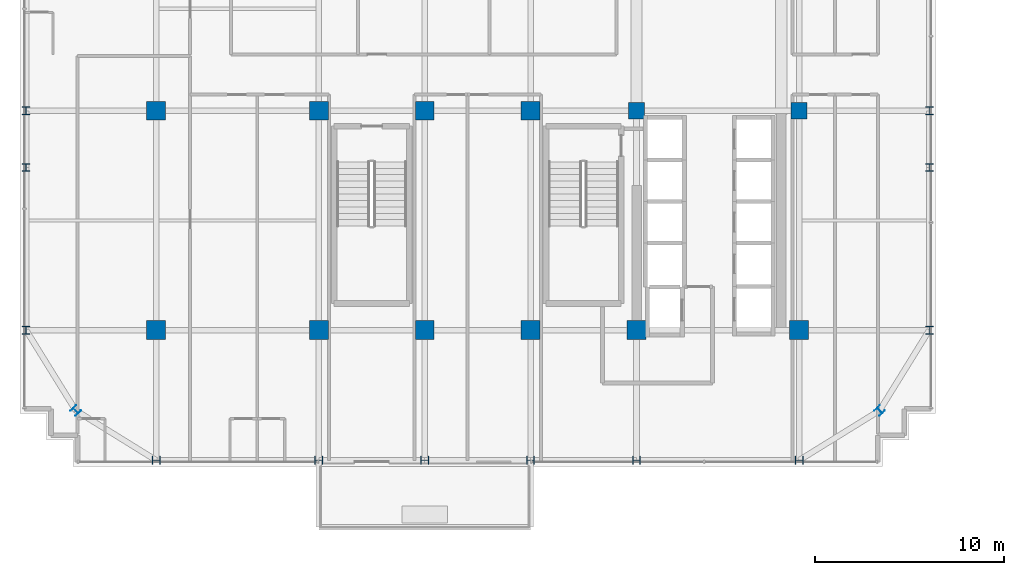
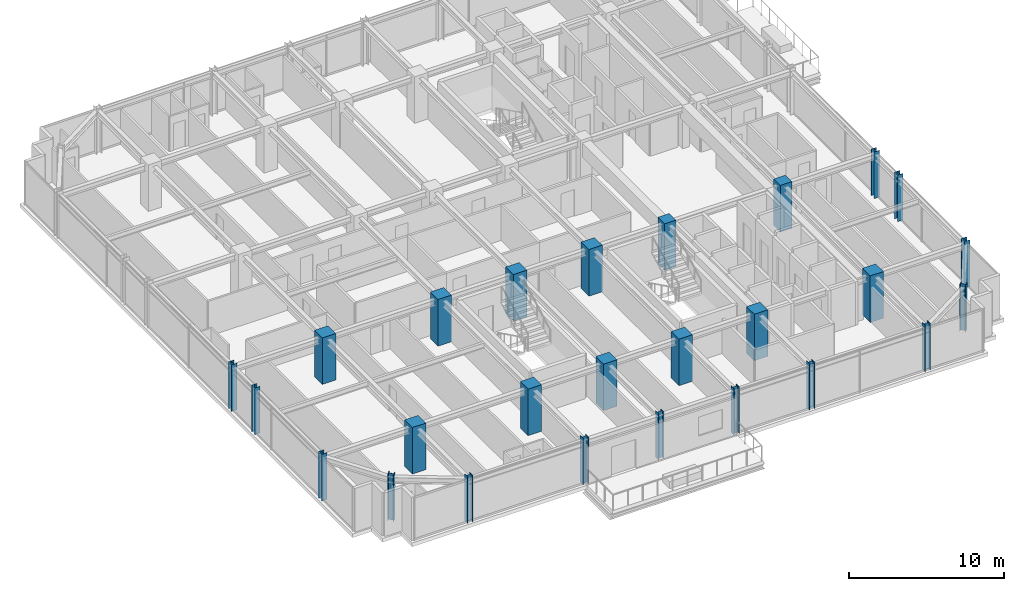
# One storey, part 1 of 34: 26 columns.
"""IFC4 building model written with IfcOpenShell, lengths in metres."""

from ifc_helpers import new_model, si_unit, direction, frame, origin, origin_2d, place, context, subcontext, project, spatial, rectangle, i_section, extrude, source, transform, mapped, material, material_profile, profile_set, type_object, element, save


model = new_model("IFC4")

# Units and contexts
model_context = context("Model", 3, precision=1e-05, world=origin(), true_north=direction((0.0, 1.0)))
body_context = subcontext(model_context, "Body", "Model", "MODEL_VIEW")
ifc_project = project(units=[si_unit("LENGTHUNIT", "METRE"), si_unit("AREAUNIT", "SQUARE_METRE"), si_unit("VOLUMEUNIT", "CUBIC_METRE"), si_unit("PLANEANGLEUNIT", "RADIAN"), si_unit("MASSUNIT", "GRAM", prefix="KILO")], contexts=[model_context])

# Site, building, storey
site_placement = place(None, origin())
site = spatial("IfcSite", under=ifc_project, at=site_placement, CompositionType="ELEMENT")
building_placement = place(site_placement, origin())
building = spatial("IfcBuilding", under=site, at=building_placement, Name="Nahalor Promenade Grand Hotel", CompositionType="ELEMENT")
storey_placement = place(building_placement, frame((0.0, 0.0, 208.60009765625)))
storey = spatial("IfcBuildingStorey", under=building, at=storey_placement, Name="L53", CompositionType="ELEMENT", Elevation=208.60009765625)

# Columns
ifc_material_1 = material(Name="Concrete B-60 (C50/60)", Category="concrete")
ifc_material_profile_1 = material_profile(ifc_material_1, rectangle(XDim=1.0, YDim=1.0, at=origin_2d()), Name="RC 1000x1000")
ifc_profile_set_1 = profile_set([ifc_material_profile_1], Name="Concrete B-60 (C50/60)")
column_type_1 = type_object("IfcColumnType", Name="Col-RC-1000", PredefinedType="COLUMN", material=ifc_profile_set_1)
shared_shape_1 = source(origin(), body_context, "Body", "SweptSolid", [
    extrude(rectangle(XDim=1.0, YDim=1.0, at=origin_2d()), origin(), (0.0, 0.0, 1.0), 3.65478515625),
])
for number, where, z_axis, x_axis, name in (
    (1, (-17.0, -17.0, 0.0), (0.0, 0.0, 1.0), (1.0, 0.0, 0.0), "COL-L53-I00"),
    (2, (-17.0, -5.39990234375, 0.0), (0.0, 0.0, 1.0), (1.0, 0.0, 0.0), "COL-L53-I01"),
    (3, (-8.39990234375, -17.0, 0.0), (0.0, 0.0, 1.0), (1.0, 0.0, 0.0), "COL-L53-I10"),
    (4, (-8.39990234375, -5.39990234375, 0.0), (0.0, 0.0, 1.0), (1.0, 0.0, 0.0), "COL-L53-I11"),
    (5, (-2.800048828125, -17.0, 0.0), (0.0, 0.0, 1.0), (1.0, 0.0, 0.0), "COL-L53-I20"),
    (6, (-2.800048828125, -5.39990234375, 0.0), (0.0, 0.0, 1.0), (1.0, 0.0, 0.0), "COL-L53-I21"),
    (7, (2.800048828125, -17.0, 0.0), (0.0, 0.0, 1.0), (1.0, 0.0, 0.0), "COL-L53-I30"),
    (8, (2.800048828125, -5.39990234375, 0.0), (0.0, 0.0, 1.0), (1.0, 0.0, 0.0), "COL-L53-I31"),
    (9, (8.39990234375, -17.0, 0.0), (0.0, 0.0, 1.0), (1.0, 0.0, 0.0), "COL-L53-I40"),
    (10, (17.0, -17.0, 0.0), (0.0, 0.0, 1.0), (1.0, 0.0, 0.0), "COL-L53-I50"),
):
    element("IfcColumn", number, at=place(storey_placement, frame(where, z_axis=z_axis, x_axis=x_axis)), inside=storey, type_object=column_type_1, Name=name, PredefinedType="COLUMN", context=body_context, shape_type="MappedRepresentation", body=[
        mapped(shared_shape_1, transform((0.0, 0.0, 0.0), scale=1.0)),
    ])
ifc_material_2 = material(Name="Concrete B-70 (C60/75)", Category="concrete")
ifc_material_profile_2 = material_profile(ifc_material_2, rectangle(XDim=0.85, YDim=0.85, at=origin_2d()), Name="RC 850x850")
ifc_profile_set_2 = profile_set([ifc_material_profile_2], Name="Concrete B-70 (C60/75)")
column_type_2 = type_object("IfcColumnType", Name="Col-Pilaster-850", PredefinedType="PILASTER", material=ifc_profile_set_2)
shared_shape_2 = source(origin(), body_context, "Body", "SweptSolid", [
    extrude(rectangle(XDim=0.85, YDim=0.85, at=origin_2d()), origin(), (0.0, 0.0, 1.0), 3.65478515625),
])
for number, where, z_axis, x_axis, name in (
    (11, (8.39990234375, -5.39990234375, 0.0), (0.0, 0.0, 1.0), (1.0, 0.0, 0.0), "COL-L53-I41"),
    (12, (17.0, -5.39990234375, 0.0), (0.0, 0.0, 1.0), (1.0, 0.0, 0.0), "COL-L53-I51"),
):
    element("IfcColumn", number, at=place(storey_placement, frame(where, z_axis=z_axis, x_axis=x_axis)), inside=storey, type_object=column_type_2, Name=name, PredefinedType="PILASTER", context=body_context, shape_type="MappedRepresentation", body=[
        mapped(shared_shape_2, transform((0.0, 0.0, 0.0), scale=1.0)),
    ])
ifc_material_3 = material(Name="Steel S355JR", Category="steel")
ifc_material_profile_3 = material_profile(ifc_material_3, i_section(OverallWidth=0.401, OverallDepth=0.406, WebThickness=0.0161, FlangeThickness=0.025, at=origin_2d()), Name="HD 400x314")
ifc_profile_set_3 = profile_set([ifc_material_profile_3], Name="Steel S355JR")
column_type_3 = type_object("IfcColumnType", Name="Col-Steel-HD314", PredefinedType="COLUMN", material=ifc_profile_set_3)
shared_shape_3 = source(origin(), body_context, "Body", "SweptSolid", [
    extrude(i_section(OverallWidth=0.401, OverallDepth=0.406, WebThickness=0.0161, FlangeThickness=0.025, at=origin_2d()), origin(), (0.0, 0.0, 1.0), 3.65478515625),
])
for number, where, z_axis, x_axis, name in (
    (13, (-23.8798828125, -17.0, 0.0), (0.0, 0.0, 1.0), (1.0, 0.0, 0.0), "COL-L53-PW-W0"),
    (14, (23.8798828125, -17.0, 0.0), (0.0, 0.0, 1.0), (1.0, 0.0, 0.0), "COL-L53-PW-E0"),
    (15, (-23.8798828125, -8.39990234375, 0.0), (0.0, 0.0, 1.0), (1.0, 0.0, 0.0), "COL-L53-PW-W1"),
    (16, (23.8798828125, -8.39990234375, 0.0), (0.0, 0.0, 1.0), (1.0, 0.0, 0.0), "COL-L53-PW-E1"),
    (17, (-23.8798828125, -5.39990234375, 0.0), (0.0, 0.0, 1.0), (1.0, 0.0, 0.0), "COL-L53-PW-W2"),
    (18, (23.8798828125, -5.39990234375, 0.0), (0.0, 0.0, 1.0), (1.0, 0.0, 0.0), "COL-L53-PW-E2"),
    (19, (-17.0, -23.8798828125, 0.0), (0.0, 0.0, 1.0), (0.0, 1.0, 0.0), "COL-L53-PN-S0"),
    (20, (-8.39990234375, -23.8798828125, 0.0), (0.0, 0.0, 1.0), (0.0, 1.0, 0.0), "COL-L53-PN-S1"),
    (21, (-2.800048828125, -23.8798828125, 0.0), (0.0, 0.0, 1.0), (0.0, 1.0, 0.0), "COL-L53-PN-S2"),
    (22, (2.800048828125, -23.8798828125, 0.0), (0.0, 0.0, 1.0), (0.0, 1.0, 0.0), "COL-L53-PN-S3"),
    (23, (8.39990234375, -23.8798828125, 0.0), (0.0, 0.0, 1.0), (0.0, 1.0, 0.0), "COL-L53-PN-S4"),
    (24, (17.0, -23.8798828125, 0.0), (0.0, 0.0, 1.0), (0.0, 1.0, 0.0), "COL-L53-PN-S5"),
    (25, (-21.25, -21.25, 0.0), (0.0, 0.0, 1.0), (0.707106781187, 0.707106781187, 0.0), "COL-L53-CRN-SW"),
    (26, (21.25, -21.25, 0.0), (0.0, 0.0, 1.0), (0.707106781187, 0.707106781187, 0.0), "COL-L53-CRN-SE"),
):
    element("IfcColumn", number, at=place(storey_placement, frame(where, z_axis=z_axis, x_axis=x_axis)), inside=storey, type_object=column_type_3, Name=name, PredefinedType="COLUMN", context=body_context, shape_type="MappedRepresentation", body=[
        mapped(shared_shape_3, transform((0.0, 0.0, 0.0), scale=1.0)),
    ])

save(model, "model.ifc")
